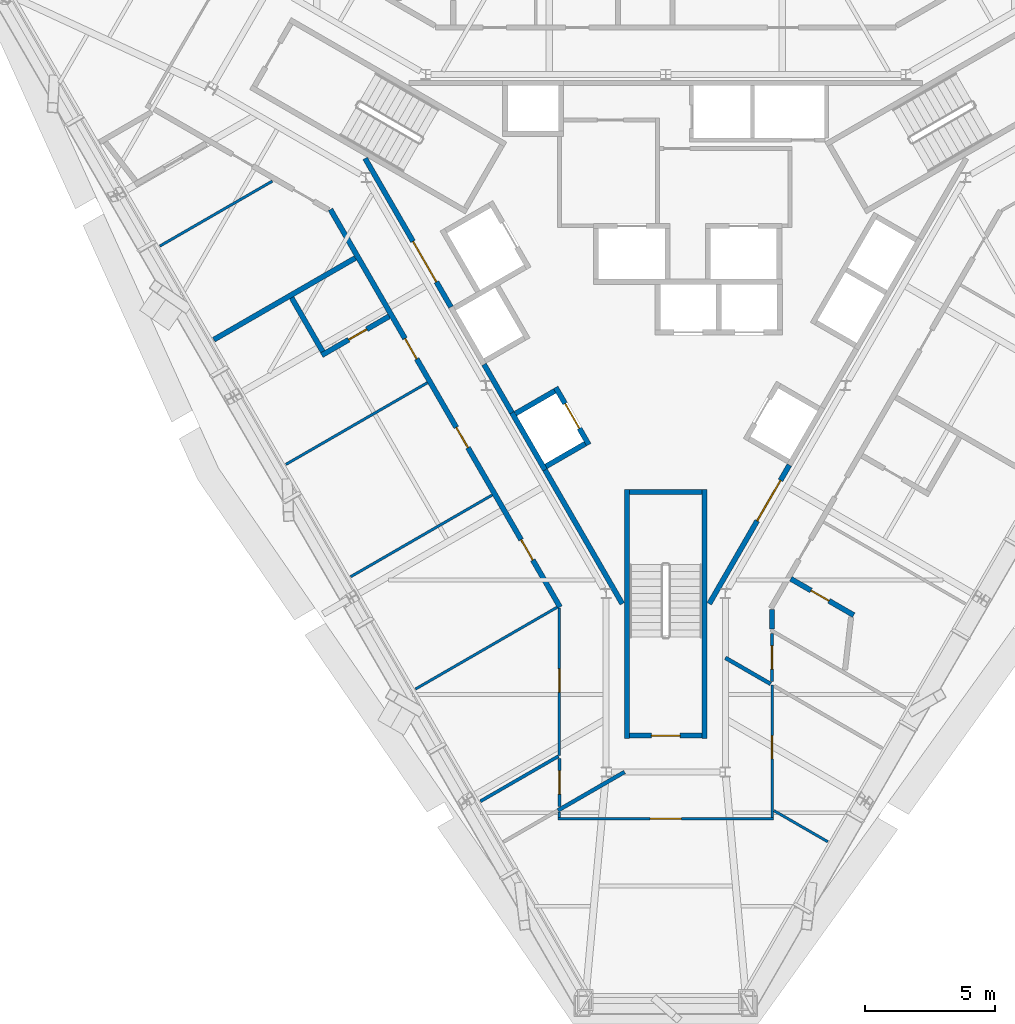
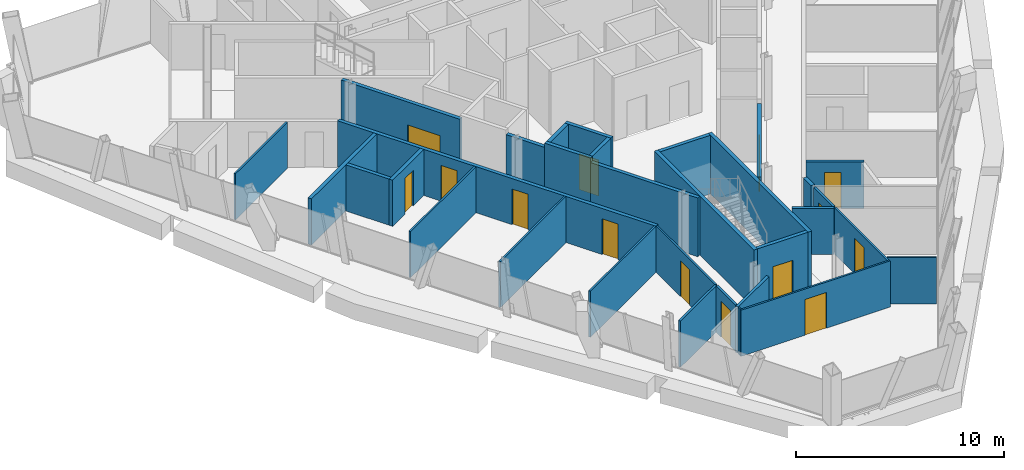
# One storey, part 8 of 13: 32 walls, 14 doors, 14 openings.
"""IFC4 building model written with IfcOpenShell, lengths in metres."""

from ifc_helpers import new_model, si_unit, direction, frame, frame_2d, origin, place, context, subcontext, project, spatial, rectangle, extrude, material, layer, layer_set, type_object, element, fill, save


model = new_model("IFC4")

# Units and contexts
model_context = context("Model", 3, precision=1e-05, world=origin(), true_north=direction((0.0, 1.0)))
body_context = subcontext(model_context, "Body", "Model", "MODEL_VIEW")
ifc_project = project(units=[si_unit("LENGTHUNIT", "METRE"), si_unit("AREAUNIT", "SQUARE_METRE"), si_unit("VOLUMEUNIT", "CUBIC_METRE"), si_unit("PLANEANGLEUNIT", "RADIAN"), si_unit("MASSUNIT", "GRAM", prefix="KILO")], contexts=[model_context])

# Site, building, storey
site_placement = place(None, origin())
site = spatial("IfcSite", under=ifc_project, at=site_placement, CompositionType="ELEMENT")
building_placement = place(site_placement, origin())
building = spatial("IfcBuilding", under=site, at=building_placement, Name="Verrane Prism Tower", CompositionType="ELEMENT")
storey_placement = place(building_placement, frame((0.0, 0.0, 243.39990234375)))
storey = spatial("IfcBuildingStorey", under=building, at=storey_placement, Name="L61", CompositionType="ELEMENT", Elevation=243.39990234375)

# Wall, opening, door
ifc_material_1 = material(Name="Gypsum board partition", Category="other")
ifc_layer_1 = layer(ifc_material_1, 0.199951171875)
ifc_layer_set_1 = layer_set([ifc_layer_1], Name="CW-200 core boundary wall 2 h")
wall_type_1 = type_object("IfcWallType", Name="CW-200 core boundary wall 2 h", PredefinedType="PARTITIONING", material=ifc_layer_set_1)
wall_1_placement = place(storey_placement, frame((-11.590576171875, 4.7548828125, 0.0), z_axis=(0.0, 0.0, 1.0), x_axis=(0.500043977787, -0.866000011708, 0.0)))
wall_1 = element("IfcWall", 1, at=wall_1_placement, inside=storey, type_object=wall_type_1, Name="Core boundary wall CW3-001", PredefinedType="PARTITIONING", context=body_context, shape_type="SweptSolid", body=[
    extrude(rectangle(XDim=6.61669921875, YDim=0.199951171875, at=frame_2d((3.308349609375, 0.0))), origin(), (0.0, 0.0, 1.0), 3.4501953125),
])
opening_1_placement = place(wall_1_placement, frame((3.695068359375, 0.0, 0.0)))
opening_1 = element("IfcOpeningElement", 2, at=opening_1_placement, cuts=wall_1, Name="Opening D59510", PredefinedType="OPENING", context=body_context, shape_type="SweptSolid", body=[
    extrude(rectangle(XDim=1.800048828125, YDim=2.10009765625, at=frame_2d((0.89990234375, 1.050048828125))), frame((0.0, 0.10986328125, 0.0), z_axis=(0.0, -1.0, 0.0), x_axis=(1.0, 0.0, 0.0)), (0.0, 0.0, 1.0), 0.219970703125),
])
ifc_material_2 = material(Name="Timber veneered door leaf", Category="wood")
door_type_1 = type_object("IfcDoorType", Name="DR-1800x2100 FD60 double leaf lift lobby", OperationType="NOTDEFINED", PredefinedType="DOOR", material=ifc_material_2)
door_1_placement = place(opening_1_placement, origin())
door_1 = element("IfcDoor", 3, at=door_1_placement, inside=storey, type_object=door_type_1, Name="Lift lobby door D59510", OperationType="DOUBLE_DOOR_SINGLE_SWING", OverallHeight=2.10009765625, OverallWidth=1.800048828125, PredefinedType="DOOR", context=body_context, shape_type="SweptSolid", body=[
    extrude(rectangle(XDim=1.800048828125, YDim=2.10009765625, at=frame_2d((0.89990234375, 1.050048828125))), frame((0.0, 0.02490234375, 0.0), z_axis=(0.0, -1.0, 0.0), x_axis=(1.0, 0.0, 0.0)), (0.0, 0.0, 1.0), 0.050048828125),
])
fill(opening_1, door_1)

# Walls
wall_2_placement = place(storey_placement, frame((-7.0048828125, -3.18701171875, 0.0), z_axis=(0.0, 0.0, 1.0), x_axis=(0.499689606989, -0.866204535123, 0.0)))
element("IfcWall", 4, at=wall_2_placement, inside=storey, type_object=wall_type_1, Name="Core boundary wall CW3-003", PredefinedType="PARTITIONING", context=body_context, shape_type="SweptSolid", body=[
    extrude(rectangle(XDim=2.144775390625, YDim=0.199951171875, at=frame_2d((1.072265625, 0.0))), origin(), (0.0, 0.0, 1.0), 3.4501953125),
])
wall_3_placement = place(storey_placement, frame((-4.655029296875, -7.257080078125, 0.0), z_axis=(0.0, 0.0, 1.0), x_axis=(0.499966124405, -0.866044960985, 0.0)))
element("IfcWall", 5, at=wall_3_placement, inside=storey, type_object=wall_type_1, Name="Core boundary wall CW3-004", PredefinedType="PARTITIONING", context=body_context, shape_type="SweptSolid", body=[
    extrude(rectangle(XDim=5.95556640625, YDim=0.199951171875, at=frame_2d((2.977783203125, 0.0))), origin(), (0.0, 0.0, 1.0), 3.4501953125),
])

# Wall, opening, door
wall_4_placement = place(storey_placement, frame((1.677490234375, -12.414794921875, 0.0), z_axis=(0.0, 0.0, 1.0), x_axis=(0.500054337157, 0.865994029939, 0.0)))
wall_4 = element("IfcWall", 6, at=wall_4_placement, inside=storey, type_object=wall_type_1, Name="Core boundary wall CW3-006", PredefinedType="PARTITIONING", context=body_context, shape_type="SweptSolid", body=[
    extrude(rectangle(XDim=6.176513671875, YDim=0.199951171875, at=frame_2d((3.08837890625, 0.0))), origin(), (0.0, 0.0, 1.0), 3.4501953125),
])
opening_2_placement = place(wall_4_placement, frame((3.695068359375, 0.0, 0.0)))
opening_2 = element("IfcOpeningElement", 7, at=opening_2_placement, cuts=wall_4, Name="Opening D59515", PredefinedType="OPENING", context=body_context, shape_type="SweptSolid", body=[
    extrude(rectangle(XDim=1.800048828125, YDim=2.10009765625, at=frame_2d((0.89990234375, 1.050048828125))), frame((0.0, 0.10986328125, 0.0), z_axis=(0.0, -1.0, 0.0), x_axis=(1.0, 0.0, 0.0)), (0.0, 0.0, 1.0), 0.219970703125),
])
door_2_placement = place(opening_2_placement, origin())
door_2 = element("IfcDoor", 8, at=door_2_placement, inside=storey, type_object=door_type_1, Name="Lift lobby door D59515", OperationType="DOUBLE_DOOR_SINGLE_SWING", OverallHeight=2.10009765625, OverallWidth=1.800048828125, PredefinedType="DOOR", context=body_context, shape_type="SweptSolid", body=[
    extrude(rectangle(XDim=1.800048828125, YDim=2.10009765625, at=frame_2d((0.89990234375, 1.050048828125))), frame((0.0, 0.02490234375, 0.0), z_axis=(0.0, -1.0, 0.0), x_axis=(1.0, 0.0, 0.0)), (0.0, 0.0, 1.0), 0.050048828125),
])
fill(opening_2, door_2)

ifc_material_3 = material(Name="Concrete C40/50", Category="concrete")
ifc_layer_2 = layer(ifc_material_3, 0.199951171875)
ifc_layer_set_2 = layer_set([ifc_layer_2], Name="CW-200 stair core wall concrete C40/50 3 h")
wall_type_2 = type_object("IfcWallType", Name="CW-200 stair core wall concrete C40/50 3 h", PredefinedType="PARTITIONING", material=ifc_layer_set_2)
wall_5_placement = place(storey_placement, frame((-1.39990234375, -17.5, 0.0), z_axis=(0.0, 0.0, 1.0), x_axis=(1.0, 0.0, 0.0)))
wall_5 = element("IfcWall", 9, at=wall_5_placement, inside=storey, type_object=wall_type_2, Name="Stair 3 enclosure wall", PredefinedType="PARTITIONING", context=body_context, shape_type="SweptSolid", body=[
    extrude(rectangle(XDim=2.7998046875, YDim=0.199951171875, at=frame_2d((1.39990234375, 0.0))), origin(), (0.0, 0.0, 1.0), 3.4501953125),
])
opening_3_placement = place(wall_5_placement, frame((0.85009765625, 0.0, 0.0)))
opening_3 = element("IfcOpeningElement", 10, at=opening_3_placement, cuts=wall_5, Name="Opening D59502", PredefinedType="OPENING", context=body_context, shape_type="SweptSolid", body=[
    extrude(rectangle(XDim=1.10009765625, YDim=2.10009765625, at=frame_2d((0.550048828125, 1.050048828125))), frame((0.0, 0.10986328125, 0.0), z_axis=(0.0, -1.0, 0.0), x_axis=(1.0, 0.0, 0.0)), (0.0, 0.0, 1.0), 0.219970703125),
])
ifc_material_4 = material(Name="Timber veneered door leaf", Category="wood")
door_type_2 = type_object("IfcDoorType", Name="DR-1100x2100 FD90 single leaf stair", OperationType="NOTDEFINED", PredefinedType="DOOR", material=ifc_material_4)
door_3_placement = place(opening_3_placement, origin())
door_3 = element("IfcDoor", 11, at=door_3_placement, inside=storey, type_object=door_type_2, Name="Stair 3 door", OperationType="SINGLE_SWING_LEFT", OverallHeight=2.10009765625, OverallWidth=1.10009765625, PredefinedType="DOOR", context=body_context, shape_type="SweptSolid", body=[
    extrude(rectangle(XDim=1.10009765625, YDim=2.10009765625, at=frame_2d((0.550048828125, 1.050048828125))), frame((0.0, 0.02490234375, 0.0), z_axis=(0.0, -1.0, 0.0), x_axis=(1.0, 0.0, 0.0)), (0.0, 0.0, 1.0), 0.050048828125),
])
fill(opening_3, door_3)

# Walls
for number, where, z_axis, x_axis, name in (
    (12, (1.5, -8.0, 0.0), (0.0, 0.0, 1.0), (0.0, -1.0, 0.0), "Stair 3 enclosure wall"),
    (13, (-1.5, -8.0, 0.0), (0.0, 0.0, 1.0), (0.0, -1.0, 0.0), "Stair 3 enclosure wall"),
):
    element("IfcWall", number, at=place(storey_placement, frame(where, z_axis=z_axis, x_axis=x_axis)), inside=storey, type_object=wall_type_2, Name=name, PredefinedType="PARTITIONING", context=body_context, shape_type="SweptSolid", body=[
        extrude(rectangle(XDim=9.60009765625, YDim=0.199951171875, at=frame_2d((4.800048828125, 0.0))), origin(), (0.0, 0.0, 1.0), 3.4501953125),
    ])
wall_6_placement = place(storey_placement, frame((-1.39990234375, -8.10009765625, 0.0), z_axis=(0.0, 0.0, 1.0), x_axis=(1.0, 0.0, 0.0)))
element("IfcWall", 14, at=wall_6_placement, inside=storey, type_object=wall_type_2, Name="Stair 3 enclosure wall", PredefinedType="PARTITIONING", context=body_context, shape_type="SweptSolid", body=[
    extrude(rectangle(XDim=2.7998046875, YDim=0.199951171875, at=frame_2d((1.39990234375, 0.0))), origin(), (0.0, 0.0, 1.0), 3.4501953125),
])
ifc_material_5 = material(Name="Gypsum board shaft wall assembly", Category="other")
ifc_layer_3 = layer(ifc_material_5, 0.199951171875)
ifc_layer_set_3 = layer_set([ifc_layer_3], Name="HW-200 lift shaft wall 2 h")
wall_type_3 = type_object("IfcWallType", Name="HW-200 lift shaft wall 2 h", PredefinedType="PARTITIONING", material=ifc_layer_set_3)
for number, where, z_axis, x_axis, name in (
    (15, (-4.61962890625, -7.118408203125, 0.0), (0.0, 0.0, 1.0), (0.866036909293, 0.499980071345, 0.0), "Lift shaft wall"),
    (16, (-5.794677734375, -5.083251953125, 0.0), (0.0, 0.0, 1.0), (0.866036909293, 0.499980071345, 0.0), "Lift shaft wall"),
):
    element("IfcWall", number, at=place(storey_placement, frame(where, z_axis=z_axis, x_axis=x_axis)), inside=storey, type_object=wall_type_3, Name=name, PredefinedType="PARTITIONING", context=body_context, shape_type="SweptSolid", body=[
        extrude(rectangle(XDim=1.75, YDim=0.199951171875, at=frame_2d((0.875, 0.0))), origin(), (0.0, 0.0, 1.0), 3.7001953125),
    ])

# Wall, opening, door
wall_7_placement = place(storey_placement, frame((-2.967529296875, -6.280029296875, 0.0), z_axis=(0.0, 0.0, 1.0), x_axis=(-0.499990435942, 0.866030925526, 0.0)))
wall_7 = element("IfcWall", 17, at=wall_7_placement, inside=storey, type_object=wall_type_3, Name="Lift shaft wall", PredefinedType="PARTITIONING", context=body_context, shape_type="SweptSolid", body=[
    extrude(rectangle(XDim=2.5498046875, YDim=0.199951171875, at=frame_2d((1.27490234375, 0.0))), origin(), (0.0, 0.0, 1.0), 3.7001953125),
])
opening_4_placement = place(wall_7_placement, frame((0.72509765625, 0.0, 0.0)))
opening_4 = element("IfcOpeningElement", 18, at=opening_4_placement, cuts=wall_7, Name="Opening D59506", PredefinedType="OPENING", context=body_context, shape_type="SweptSolid", body=[
    extrude(rectangle(XDim=1.10009765625, YDim=2.10009765625, at=frame_2d((0.550048828125, 1.050048828125))), frame((0.0, 0.10986328125, 0.0), z_axis=(0.0, -1.0, 0.0), x_axis=(1.0, 0.0, 0.0)), (0.0, 0.0, 1.0), 0.219970703125),
])
ifc_material_6 = material(Name="Stainless steel sliding landing door", Category="steel")
door_type_3 = type_object("IfcDoorType", Name="LD-1100x2100 lift landing door FD90 sliding", OperationType="NOTDEFINED", PredefinedType="DOOR", material=ifc_material_6)
door_4_placement = place(opening_4_placement, origin())
door_4 = element("IfcDoor", 19, at=door_4_placement, inside=storey, type_object=door_type_3, Name="Bank B lift 4 landing door", OperationType="SLIDING_TO_RIGHT", OverallHeight=2.10009765625, OverallWidth=1.10009765625, PredefinedType="DOOR", context=body_context, shape_type="SweptSolid", body=[
    extrude(rectangle(XDim=1.10009765625, YDim=2.10009765625, at=frame_2d((0.550048828125, 1.050048828125))), frame((0.0, 0.02490234375, 0.0), z_axis=(0.0, -1.0, 0.0), x_axis=(1.0, 0.0, 0.0)), (0.0, 0.0, 1.0), 0.050048828125),
])
fill(opening_4, door_4)

# Walls
wall_8_placement = place(storey_placement, frame((-4.65625, -7.255126953125, 0.0), z_axis=(0.0, 0.0, 1.0), x_axis=(-0.499990435942, 0.866030925526, 0.0)))
element("IfcWall", 20, at=wall_8_placement, inside=storey, type_object=wall_type_3, Name="Lift shaft wall", PredefinedType="PARTITIONING", context=body_context, shape_type="SweptSolid", body=[
    extrude(rectangle(XDim=2.5498046875, YDim=0.199951171875, at=frame_2d((1.27490234375, 0.0))), origin(), (0.0, 0.0, 1.0), 3.7001953125),
])
ifc_material_7 = material(Name="Gypsum board partition", Category="other")
ifc_layer_4 = layer(ifc_material_7, 0.10009765625)
ifc_layer_set_4 = layer_set([ifc_layer_4], Name="PW-100 room partition")
wall_type_4 = type_object("IfcWallType", Name="PW-100 room partition", PredefinedType="PARTITIONING", material=ifc_layer_set_4)
wall_9_placement = place(storey_placement, frame((-19.506591796875, 1.375244140625, 0.0), z_axis=(0.0, 0.0, 1.0), x_axis=(0.86604843891, 0.499960099869, 0.0)))
element("IfcWall", 21, at=wall_9_placement, inside=storey, type_object=wall_type_4, Name="Room partition 006", PredefinedType="PARTITIONING", context=body_context, shape_type="SweptSolid", body=[
    extrude(rectangle(XDim=5.009765625, YDim=0.10009765625, at=frame_2d((2.5048828125, 0.0))), origin(), (0.0, 0.0, 1.0), 2.713134765625),
])
wall_10_placement = place(storey_placement, frame((-14.646484375, -7.042724609375, 0.0), z_axis=(0.0, 0.0, 1.0), x_axis=(0.866066838318, 0.499928226415, 0.0)))
element("IfcWall", 22, at=wall_10_placement, inside=storey, type_object=wall_type_4, Name="Room partition 010", PredefinedType="PARTITIONING", context=body_context, shape_type="SweptSolid", body=[
    extrude(rectangle(XDim=6.29931640625, YDim=0.10009765625, at=frame_2d((3.149658203125, 0.0))), origin(), (0.0, 0.0, 1.0), 2.713134765625),
])
wall_11_placement = place(storey_placement, frame((-12.14697265625, -11.3720703125, 0.0), z_axis=(0.0, 0.0, 1.0), x_axis=(0.866013897511, 0.50001992892, 0.0)))
element("IfcWall", 23, at=wall_11_placement, inside=storey, type_object=wall_type_4, Name="Room partition 016", PredefinedType="PARTITIONING", context=body_context, shape_type="SweptSolid", body=[
    extrude(rectangle(XDim=6.299072265625, YDim=0.10009765625, at=frame_2d((3.1494140625, 0.0))), origin(), (0.0, 0.0, 1.0), 2.713134765625),
])
wall_12_placement = place(storey_placement, frame((-9.64697265625, -15.7021484375, 0.0), z_axis=(0.0, 0.0, 1.0), x_axis=(0.865981749158, 0.500075604409, 0.0)))
element("IfcWall", 24, at=wall_12_placement, inside=storey, type_object=wall_type_4, Name="Room partition 019", PredefinedType="PARTITIONING", context=body_context, shape_type="SweptSolid", body=[
    extrude(rectangle(XDim=6.30322265625, YDim=0.10009765625, at=frame_2d((3.151611328125, 0.0))), origin(), (0.0, 0.0, 1.0), 2.713134765625),
])
wall_13_placement = place(storey_placement, frame((-4.10009765625, -20.64990234375, 0.0), z_axis=(0.0, 0.0, 1.0), x_axis=(0.0, 1.0, 0.0)))
element("IfcWall", 25, at=wall_13_placement, inside=storey, type_object=wall_type_4, Name="Room partition 025", PredefinedType="PARTITIONING", context=body_context, shape_type="SweptSolid", body=[
    extrude(rectangle(XDim=0.199951171875, YDim=0.10009765625, at=frame_2d((0.10009765625, 0.0))), origin(), (0.0, 0.0, 1.0), 2.713134765625),
])

# Wall, opening, door
wall_14_placement = place(storey_placement, frame((4.14990234375, -20.699951171875, 0.0), z_axis=(0.0, 0.0, 1.0), x_axis=(-1.0, 0.0, 0.0)))
wall_14 = element("IfcWall", 26, at=wall_14_placement, inside=storey, type_object=wall_type_4, Name="Room partition 026", PredefinedType="PARTITIONING", context=body_context, shape_type="SweptSolid", body=[
    extrude(rectangle(XDim=8.2998046875, YDim=0.10009765625, at=frame_2d((4.14990234375, 0.0))), origin(), (0.0, 0.0, 1.0), 2.713134765625),
])
opening_5_placement = place(wall_14_placement, frame((3.550048828125, 0.0, 0.0)))
opening_5 = element("IfcOpeningElement", 27, at=opening_5_placement, cuts=wall_14, Name="Opening D59020", PredefinedType="OPENING", context=body_context, shape_type="SweptSolid", body=[
    extrude(rectangle(XDim=1.199951171875, YDim=2.10009765625, at=frame_2d((0.60009765625, 1.050048828125))), frame((0.0, 0.06005859375, 0.0), z_axis=(0.0, -1.0, 0.0), x_axis=(1.0, 0.0, 0.0)), (0.0, 0.0, 1.0), 0.1201171875),
])
ifc_material_8 = material(Name="Timber veneered door leaf", Category="wood")
door_type_4 = type_object("IfcDoorType", Name="DR-1200x2100 single leaf unit", OperationType="NOTDEFINED", PredefinedType="DOOR", material=ifc_material_8)
door_5_placement = place(opening_5_placement, origin())
door_5 = element("IfcDoor", 28, at=door_5_placement, inside=storey, type_object=door_type_4, Name="Living And Dining Room door", OperationType="SINGLE_SWING_LEFT", OverallHeight=2.10009765625, OverallWidth=1.199951171875, PredefinedType="DOOR", context=body_context, shape_type="SweptSolid", body=[
    extrude(rectangle(XDim=1.199951171875, YDim=2.10009765625, at=frame_2d((0.60009765625, 1.050048828125))), frame((0.0, 0.02490234375, 0.0), z_axis=(0.0, -1.0, 0.0), x_axis=(1.0, 0.0, 0.0)), (0.0, 0.0, 1.0), 0.050048828125),
])
fill(opening_5, door_5)

wall_15_placement = place(storey_placement, frame((-4.10009765625, -18.27099609375, 0.0), z_axis=(0.0, 0.0, 1.0), x_axis=(0.0, 1.0, 0.0)))
wall_15 = element("IfcWall", 29, at=wall_15_placement, inside=storey, type_object=wall_type_4, Name="Room partition 029", PredefinedType="PARTITIONING", context=body_context, shape_type="SweptSolid", body=[
    extrude(rectangle(XDim=5.68408203125, YDim=0.10009765625, at=frame_2d((2.842041015625, 0.0))), origin(), (0.0, 0.0, 1.0), 2.713134765625),
])
opening_6_placement = place(wall_15_placement, frame((2.449951171875, 0.0, 0.0)))
opening_6 = element("IfcOpeningElement", 30, at=opening_6_placement, cuts=wall_15, Name="Opening D59019", PredefinedType="OPENING", context=body_context, shape_type="SweptSolid", body=[
    extrude(rectangle(XDim=0.89990234375, YDim=2.10009765625, at=frame_2d((0.449951171875, 1.050048828125))), frame((0.0, 0.06005859375, 0.0), z_axis=(0.0, -1.0, 0.0), x_axis=(1.0, 0.0, 0.0)), (0.0, 0.0, 1.0), 0.1201171875),
])
ifc_material_9 = material(Name="Timber veneered door leaf", Category="wood")
door_type_5 = type_object("IfcDoorType", Name="DR-900x2100 single leaf unit", OperationType="NOTDEFINED", PredefinedType="DOOR", material=ifc_material_9)
door_6_placement = place(opening_6_placement, origin())
door_6 = element("IfcDoor", 31, at=door_6_placement, inside=storey, type_object=door_type_5, Name="Study door", OperationType="SINGLE_SWING_LEFT", OverallHeight=2.10009765625, OverallWidth=0.89990234375, PredefinedType="DOOR", context=body_context, shape_type="SweptSolid", body=[
    extrude(rectangle(XDim=0.89990234375, YDim=2.10009765625, at=frame_2d((0.449951171875, 1.050048828125))), frame((0.0, 0.02490234375, 0.0), z_axis=(0.0, -1.0, 0.0), x_axis=(1.0, 0.0, 0.0)), (0.0, 0.0, 1.0), 0.050048828125),
])
fill(opening_6, door_6)

wall_16_placement = place(storey_placement, frame((4.10009765625, -15.5390625, 0.0), z_axis=(0.0, 0.0, 1.0), x_axis=(0.0, -1.0, 0.0)))
wall_16 = element("IfcWall", 32, at=wall_16_placement, inside=storey, type_object=wall_type_4, Name="Room partition 034", PredefinedType="PARTITIONING", context=body_context, shape_type="SweptSolid", body=[
    extrude(rectangle(XDim=5.11083984375, YDim=0.10009765625, at=frame_2d((2.555419921875, 0.0))), origin(), (0.0, 0.0, 1.0), 2.713134765625),
])
opening_7_placement = place(wall_16_placement, frame((1.9609375, 0.0, 0.0)))
opening_7 = element("IfcOpeningElement", 33, at=opening_7_placement, cuts=wall_16, Name="Opening D59021", PredefinedType="OPENING", context=body_context, shape_type="SweptSolid", body=[
    extrude(rectangle(XDim=0.89990234375, YDim=2.10009765625, at=frame_2d((0.449951171875, 1.050048828125))), frame((0.0, 0.06005859375, 0.0), z_axis=(0.0, -1.0, 0.0), x_axis=(1.0, 0.0, 0.0)), (0.0, 0.0, 1.0), 0.1201171875),
])
door_7_placement = place(opening_7_placement, origin())
door_7 = element("IfcDoor", 34, at=door_7_placement, inside=storey, type_object=door_type_5, Name="Kitchen door", OperationType="SINGLE_SWING_RIGHT", OverallHeight=2.10009765625, OverallWidth=0.89990234375, PredefinedType="DOOR", context=body_context, shape_type="SweptSolid", body=[
    extrude(rectangle(XDim=0.89990234375, YDim=2.10009765625, at=frame_2d((0.449951171875, 1.050048828125))), frame((0.0, 0.02490234375, 0.0), z_axis=(0.0, -1.0, 0.0), x_axis=(1.0, 0.0, 0.0)), (0.0, 0.0, 1.0), 0.050048828125),
])
fill(opening_7, door_7)

# Walls
wall_17_placement = place(storey_placement, frame((4.175048828125, -20.393310546875, 0.0), z_axis=(0.0, 0.0, 1.0), x_axis=(0.866030989016, -0.499990325971, 0.0)))
element("IfcWall", 35, at=wall_17_placement, inside=storey, type_object=wall_type_4, Name="Room partition 035", PredefinedType="PARTITIONING", context=body_context, shape_type="SweptSolid", body=[
    extrude(rectangle(XDim=2.39306640625, YDim=0.10009765625, at=frame_2d((1.196533203125, 0.0))), origin(), (0.0, 0.0, 1.0), 2.713134765625),
])
ifc_material_10 = material(Name="Gypsum board partition", Category="other")
ifc_layer_5 = layer(ifc_material_10, 0.125)
ifc_layer_set_5 = layer_set([ifc_layer_5], Name="PW-125 corridor wall 1 h")
wall_type_5 = type_object("IfcWallType", Name="PW-125 corridor wall 1 h", PredefinedType="PARTITIONING", material=ifc_layer_set_5)
wall_18_placement = place(storey_placement, frame((-7.147705078125, -20.031005859375, 0.0), z_axis=(0.0, 0.0, 1.0), x_axis=(0.865978603381, 0.500081051916, 0.0)))
element("IfcWall", 36, at=wall_18_placement, inside=storey, type_object=wall_type_5, Name="Corridor wall 022", PredefinedType="PARTITIONING", context=body_context, shape_type="SweptSolid", body=[
    extrude(rectangle(XDim=3.47705078125, YDim=0.125, at=frame_2d((1.738525390625, 0.0))), origin(), (0.0, 0.0, 1.0), 2.713134765625),
])

# Wall, opening, door
wall_19_placement = place(storey_placement, frame((-4.10009765625, -18.3759765625, 0.0), z_axis=(0.0, 0.0, 1.0), x_axis=(0.0, -1.0, 0.0)))
wall_19 = element("IfcWall", 37, at=wall_19_placement, inside=storey, type_object=wall_type_5, Name="Corridor wall 027", PredefinedType="PARTITIONING", context=body_context, shape_type="SweptSolid", body=[
    extrude(rectangle(XDim=1.85400390625, YDim=0.125, at=frame_2d((0.927001953125, 0.0))), origin(), (0.0, 0.0, 1.0), 2.713134765625),
])
opening_8_placement = place(wall_19_placement, frame((0.47412109375, 0.0, 0.0)))
opening_8 = element("IfcOpeningElement", 38, at=opening_8_placement, cuts=wall_19, Name="Opening D59029", PredefinedType="OPENING", context=body_context, shape_type="SweptSolid", body=[
    extrude(rectangle(XDim=0.89990234375, YDim=2.10009765625, at=frame_2d((0.449951171875, 1.050048828125))), frame((0.0, 0.072509765625, 0.0), z_axis=(0.0, -1.0, 0.0), x_axis=(1.0, 0.0, 0.0)), (0.0, 0.0, 1.0), 0.14501953125),
])
ifc_material_11 = material(Name="Timber veneered door leaf", Category="wood")
door_type_6 = type_object("IfcDoorType", Name="DR-900x2100 FD20 single leaf unit", OperationType="NOTDEFINED", PredefinedType="DOOR", material=ifc_material_11)
door_8_placement = place(opening_8_placement, origin())
door_8 = element("IfcDoor", 39, at=door_8_placement, inside=storey, type_object=door_type_6, Name="Entrance Hall door", OperationType="SINGLE_SWING_RIGHT", OverallHeight=2.10009765625, OverallWidth=0.89990234375, PredefinedType="DOOR", context=body_context, shape_type="SweptSolid", body=[
    extrude(rectangle(XDim=0.89990234375, YDim=2.10009765625, at=frame_2d((0.449951171875, 1.050048828125))), frame((0.0, 0.02490234375, 0.0), z_axis=(0.0, -1.0, 0.0), x_axis=(1.0, 0.0, 0.0)), (0.0, 0.0, 1.0), 0.050048828125),
])
fill(opening_8, door_8)

wall_20_placement = place(storey_placement, frame((4.10009765625, -15.4189453125, 0.0), z_axis=(0.0, 0.0, 1.0), x_axis=(0.0, 1.0, 0.0)))
wall_20 = element("IfcWall", 40, at=wall_20_placement, inside=storey, type_object=wall_type_5, Name="Corridor wall 036", PredefinedType="PARTITIONING", context=body_context, shape_type="SweptSolid", body=[
    extrude(rectangle(XDim=1.85302734375, YDim=0.125, at=frame_2d((0.926513671875, 0.0))), origin(), (0.0, 0.0, 1.0), 2.713134765625),
])
opening_9_placement = place(wall_20_placement, frame((0.47998046875, 0.0, 0.0)))
opening_9 = element("IfcOpeningElement", 41, at=opening_9_placement, cuts=wall_20, Name="Opening D59030", PredefinedType="OPENING", context=body_context, shape_type="SweptSolid", body=[
    extrude(rectangle(XDim=0.89990234375, YDim=2.10009765625, at=frame_2d((0.449951171875, 1.050048828125))), frame((0.0, 0.072509765625, 0.0), z_axis=(0.0, -1.0, 0.0), x_axis=(1.0, 0.0, 0.0)), (0.0, 0.0, 1.0), 0.14501953125),
])
door_9_placement = place(opening_9_placement, origin())
door_9 = element("IfcDoor", 42, at=door_9_placement, inside=storey, type_object=door_type_6, Name="Entrance Hall door", OperationType="SINGLE_SWING_RIGHT", OverallHeight=2.10009765625, OverallWidth=0.89990234375, PredefinedType="DOOR", context=body_context, shape_type="SweptSolid", body=[
    extrude(rectangle(XDim=0.89990234375, YDim=2.10009765625, at=frame_2d((0.449951171875, 1.050048828125))), frame((0.0, 0.02490234375, 0.0), z_axis=(0.0, -1.0, 0.0), x_axis=(1.0, 0.0, 0.0)), (0.0, 0.0, 1.0), 0.050048828125),
])
fill(opening_9, door_9)

# Walls
ifc_material_12 = material(Name="Gypsum board partition", Category="other")
ifc_layer_6 = layer(ifc_material_12, 0.14990234375)
ifc_layer_set_6 = layer_set([ifc_layer_6], Name="PW-150 demising wall 1 h")
wall_type_6 = type_object("IfcWallType", Name="PW-150 demising wall 1 h", PredefinedType="PARTITIONING", material=ifc_layer_set_6)
wall_21_placement = place(storey_placement, frame((-4.154052734375, -20.38134765625, 0.0), z_axis=(0.0, 0.0, 1.0), x_axis=(0.86594123094, 0.500145763311, 0.0)))
element("IfcWall", 43, at=wall_21_placement, inside=storey, type_object=wall_type_6, Name="Demising wall 028", PredefinedType="PARTITIONING", context=body_context, shape_type="SweptSolid", body=[
    extrude(rectangle(XDim=2.9619140625, YDim=0.14990234375, at=frame_2d((1.48095703125, 0.0))), origin(), (0.0, 0.0, 1.0), 2.713134765625),
])
wall_22_placement = place(storey_placement, frame((2.300048828125, -14.5, 0.0), z_axis=(0.0, 0.0, 1.0), x_axis=(0.866058533568, -0.499942613141, 0.0)))
element("IfcWall", 44, at=wall_22_placement, inside=storey, type_object=wall_type_6, Name="Demising wall 033", PredefinedType="PARTITIONING", context=body_context, shape_type="SweptSolid", body=[
    extrude(rectangle(XDim=2.015869140625, YDim=0.14990234375, at=frame_2d((1.0078125, 0.0))), origin(), (0.0, 0.0, 1.0), 2.713134765625),
])
ifc_material_13 = material(Name="Gypsum board partition", Category="other")
ifc_layer_7 = layer(ifc_material_13, 0.199951171875)
ifc_layer_set_7 = layer_set([ifc_layer_7], Name="PW-200 plumbing wall")
wall_type_7 = type_object("IfcWallType", Name="PW-200 plumbing wall", PredefinedType="PARTITIONING", material=ifc_layer_set_7)
wall_23_placement = place(storey_placement, frame((-17.42333984375, -2.23291015625, 0.0), z_axis=(0.0, 0.0, 1.0), x_axis=(0.866040369504, 0.499974077718, 0.0)))
element("IfcWall", 45, at=wall_23_placement, inside=storey, type_object=wall_type_7, Name="Plumbing wall 007", PredefinedType="PARTITIONING", context=body_context, shape_type="SweptSolid", body=[
    extrude(rectangle(XDim=6.299072265625, YDim=0.199951171875, at=frame_2d((3.1494140625, 0.0))), origin(), (0.0, 0.0, 1.0), 2.713134765625),
])
wall_24_placement = place(storey_placement, frame((-14.425048828125, -0.61767578125, 0.0), z_axis=(0.0, 0.0, 1.0), x_axis=(0.500133489192, -0.865948320045, 0.0)))
element("IfcWall", 46, at=wall_24_placement, inside=storey, type_object=wall_type_7, Name="Plumbing wall 011", PredefinedType="PARTITIONING", context=body_context, shape_type="SweptSolid", body=[
    extrude(rectangle(XDim=2.399169921875, YDim=0.199951171875, at=frame_2d((1.19970703125, 0.0))), origin(), (0.0, 0.0, 1.0), 2.713134765625),
])

# Wall, opening, door
wall_25_placement = place(storey_placement, frame((-13.26171875, -2.83203125, 0.0), z_axis=(0.0, 0.0, 1.0), x_axis=(0.86601725921, 0.500014106551, 0.0)))
wall_25 = element("IfcWall", 47, at=wall_25_placement, inside=storey, type_object=wall_type_7, Name="Plumbing wall 012", PredefinedType="PARTITIONING", context=body_context, shape_type="SweptSolid", body=[
    extrude(rectangle(XDim=2.9951171875, YDim=0.199951171875, at=frame_2d((1.49755859375, 0.0))), origin(), (0.0, 0.0, 1.0), 2.713134765625),
])
opening_10_placement = place(wall_25_placement, frame((1.199951171875, 0.0, 0.0)))
opening_10 = element("IfcOpeningElement", 48, at=opening_10_placement, cuts=wall_25, Name="Opening D59016", PredefinedType="OPENING", context=body_context, shape_type="SweptSolid", body=[
    extrude(rectangle(XDim=0.800048828125, YDim=2.10009765625, at=frame_2d((0.39990234375, 1.050048828125))), frame((0.0, 0.10986328125, 0.0), z_axis=(0.0, -1.0, 0.0), x_axis=(1.0, 0.0, 0.0)), (0.0, 0.0, 1.0), 0.219970703125),
])
ifc_material_14 = material(Name="Timber veneered door leaf", Category="wood")
door_type_7 = type_object("IfcDoorType", Name="DR-800x2100 single leaf bath", OperationType="NOTDEFINED", PredefinedType="DOOR", material=ifc_material_14)
door_10_placement = place(opening_10_placement, origin())
door_10 = element("IfcDoor", 49, at=door_10_placement, inside=storey, type_object=door_type_7, Name="Master Bathroom door", OperationType="SINGLE_SWING_RIGHT", OverallHeight=2.10009765625, OverallWidth=0.800048828125, PredefinedType="DOOR", context=body_context, shape_type="SweptSolid", body=[
    extrude(rectangle(XDim=0.800048828125, YDim=2.10009765625, at=frame_2d((0.39990234375, 1.050048828125))), frame((0.0, 0.02490234375, 0.0), z_axis=(0.0, -1.0, 0.0), x_axis=(1.0, 0.0, 0.0)), (0.0, 0.0, 1.0), 0.050048828125),
])
fill(opening_10, door_10)

# Wall, openings, doors
wall_26_placement = place(storey_placement, frame((-4.076904296875, -12.543212890625, 0.0), z_axis=(0.0, 0.0, 1.0), x_axis=(-0.499968768298, 0.866043434665, 0.0)))
wall_26 = element("IfcWall", 50, at=wall_26_placement, inside=storey, type_object=wall_type_7, Name="Plumbing wall 013", PredefinedType="PARTITIONING", context=body_context, shape_type="SweptSolid", body=[
    extrude(rectangle(XDim=17.703369140625, YDim=0.199951171875, at=frame_2d((8.8515625, 0.0))), origin(), (0.0, 0.0, 1.0), 2.713134765625),
])
opening_11_placement = place(wall_26_placement, frame((11.05224609375, 0.0, 0.0)))
opening_11 = element("IfcOpeningElement", 51, at=opening_11_placement, cuts=wall_26, Name="Opening D59015", PredefinedType="OPENING", context=body_context, shape_type="SweptSolid", body=[
    extrude(rectangle(XDim=0.89990234375, YDim=2.10009765625, at=frame_2d((0.449951171875, 1.050048828125))), frame((0.0, 0.10986328125, 0.0), z_axis=(0.0, -1.0, 0.0), x_axis=(1.0, 0.0, 0.0)), (0.0, 0.0, 1.0), 0.219970703125),
])
opening_12_placement = place(wall_26_placement, frame((7.098388671875, 0.0, 0.0)))
opening_12 = element("IfcOpeningElement", 52, at=opening_12_placement, cuts=wall_26, Name="Opening D59017", PredefinedType="OPENING", context=body_context, shape_type="SweptSolid", body=[
    extrude(rectangle(XDim=0.89990234375, YDim=2.10009765625, at=frame_2d((0.449951171875, 1.050048828125))), frame((0.0, 0.10986328125, 0.0), z_axis=(0.0, -1.0, 0.0), x_axis=(1.0, 0.0, 0.0)), (0.0, 0.0, 1.0), 0.219970703125),
])
opening_13_placement = place(wall_26_placement, frame((2.099365234375, 0.0, 0.0)))
opening_13 = element("IfcOpeningElement", 53, at=opening_13_placement, cuts=wall_26, Name="Opening D59018", PredefinedType="OPENING", context=body_context, shape_type="SweptSolid", body=[
    extrude(rectangle(XDim=0.89990234375, YDim=2.10009765625, at=frame_2d((0.449951171875, 1.050048828125))), frame((0.0, 0.10986328125, 0.0), z_axis=(0.0, -1.0, 0.0), x_axis=(1.0, 0.0, 0.0)), (0.0, 0.0, 1.0), 0.219970703125),
])
ifc_material_15 = material(Name="Timber veneered door leaf", Category="wood")
door_type_8 = type_object("IfcDoorType", Name="DR-900x2100 single leaf inner", OperationType="NOTDEFINED", PredefinedType="DOOR", material=ifc_material_15)
door_11_placement = place(opening_11_placement, origin())
door_11 = element("IfcDoor", 54, at=door_11_placement, inside=storey, type_object=door_type_8, Name="Master Bedroom door", OperationType="SINGLE_SWING_RIGHT", OverallHeight=2.10009765625, OverallWidth=0.89990234375, PredefinedType="DOOR", context=body_context, shape_type="SweptSolid", body=[
    extrude(rectangle(XDim=0.89990234375, YDim=2.10009765625, at=frame_2d((0.449951171875, 1.050048828125))), frame((0.0, 0.02490234375, 0.0), z_axis=(0.0, -1.0, 0.0), x_axis=(1.0, 0.0, 0.0)), (0.0, 0.0, 1.0), 0.050048828125),
])
fill(opening_11, door_11)
door_12_placement = place(opening_12_placement, origin())
door_12 = element("IfcDoor", 55, at=door_12_placement, inside=storey, type_object=door_type_5, Name="Study door", OperationType="SINGLE_SWING_RIGHT", OverallHeight=2.10009765625, OverallWidth=0.89990234375, PredefinedType="DOOR", context=body_context, shape_type="SweptSolid", body=[
    extrude(rectangle(XDim=0.89990234375, YDim=2.10009765625, at=frame_2d((0.449951171875, 1.050048828125))), frame((0.0, 0.02490234375, 0.0), z_axis=(0.0, -1.0, 0.0), x_axis=(1.0, 0.0, 0.0)), (0.0, 0.0, 1.0), 0.050048828125),
])
fill(opening_12, door_12)
door_13_placement = place(opening_13_placement, origin())
door_13 = element("IfcDoor", 56, at=door_13_placement, inside=storey, type_object=door_type_5, Name="Study door", OperationType="SINGLE_SWING_LEFT", OverallHeight=2.10009765625, OverallWidth=0.89990234375, PredefinedType="DOOR", context=body_context, shape_type="SweptSolid", body=[
    extrude(rectangle(XDim=0.89990234375, YDim=2.10009765625, at=frame_2d((0.449951171875, 1.050048828125))), frame((0.0, 0.02490234375, 0.0), z_axis=(0.0, -1.0, 0.0), x_axis=(1.0, 0.0, 0.0)), (0.0, 0.0, 1.0), 0.050048828125),
])
fill(opening_13, door_13)

# Wall
wall_27_placement = place(storey_placement, frame((4.10009765625, -13.37841796875, 0.0), z_axis=(0.0, 0.0, 1.0), x_axis=(0.0, 1.0, 0.0)))
element("IfcWall", 57, at=wall_27_placement, inside=storey, type_object=wall_type_7, Name="Plumbing wall 038", PredefinedType="PARTITIONING", context=body_context, shape_type="SweptSolid", body=[
    extrude(rectangle(XDim=0.741455078125, YDim=0.199951171875, at=frame_2d((0.37060546875, 0.0))), origin(), (0.0, 0.0, 1.0), 2.713134765625),
])

# Wall, opening, door
wall_28_placement = place(storey_placement, frame((7.24658203125, -12.85302734375, 0.0), z_axis=(0.0, 0.0, 1.0), x_axis=(-0.866018616679, 0.500011755427, 0.0)))
wall_28 = element("IfcWall", 58, at=wall_28_placement, inside=storey, type_object=wall_type_7, Name="Plumbing wall 041", PredefinedType="PARTITIONING", context=body_context, shape_type="SweptSolid", body=[
    extrude(rectangle(XDim=2.80029296875, YDim=0.199951171875, at=frame_2d((1.400146484375, 0.0))), origin(), (0.0, 0.0, 1.0), 2.713134765625),
])
opening_14_placement = place(wall_28_placement, frame((1.10009765625, 0.0, 0.0)))
opening_14 = element("IfcOpeningElement", 59, at=opening_14_placement, cuts=wall_28, Name="Opening D59023", PredefinedType="OPENING", context=body_context, shape_type="SweptSolid", body=[
    extrude(rectangle(XDim=0.800048828125, YDim=2.10009765625, at=frame_2d((0.39990234375, 1.050048828125))), frame((0.0, 0.10986328125, 0.0), z_axis=(0.0, -1.0, 0.0), x_axis=(1.0, 0.0, 0.0)), (0.0, 0.0, 1.0), 0.219970703125),
])
door_14_placement = place(opening_14_placement, origin())
door_14 = element("IfcDoor", 60, at=door_14_placement, inside=storey, type_object=door_type_7, Name="Bathroom door", OperationType="SINGLE_SWING_RIGHT", OverallHeight=2.10009765625, OverallWidth=0.800048828125, PredefinedType="DOOR", context=body_context, shape_type="SweptSolid", body=[
    extrude(rectangle(XDim=0.800048828125, YDim=2.10009765625, at=frame_2d((0.39990234375, 1.050048828125))), frame((0.0, 0.02490234375, 0.0), z_axis=(0.0, -1.0, 0.0), x_axis=(1.0, 0.0, 0.0)), (0.0, 0.0, 1.0), 0.050048828125),
])
fill(opening_14, door_14)

save(model, "model.ifc")
